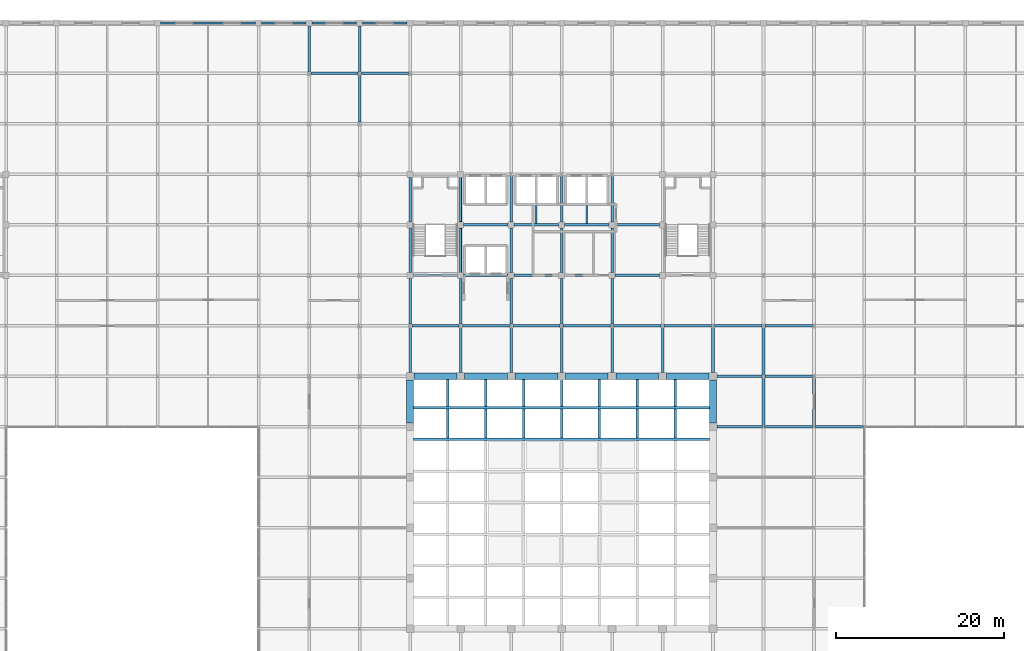
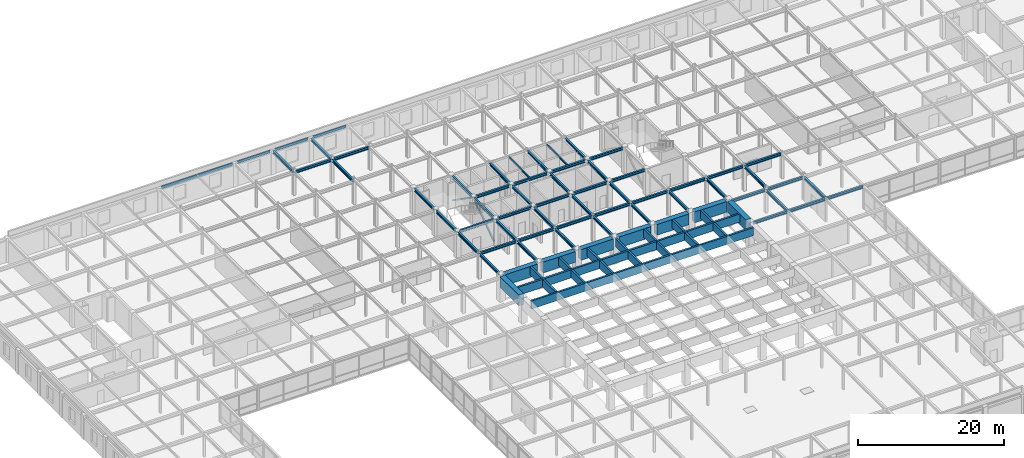
# One storey, part 78 of 111: 82 beams, 2 members.
"""IFC4 building model written with IfcOpenShell, lengths in metres."""

from ifc_helpers import new_model, si_unit, direction, frame, origin, origin_2d, place, context, subcontext, project, spatial, rectangle, hollow_rectangle, i_section, extrude, material, material_profile, profile_set, type_object, element, save


model = new_model("IFC4")

# Units and contexts
model_context = context("Model", 3, precision=1e-05, world=origin(), true_north=direction((0.0, 1.0)))
body_context = subcontext(model_context, "Body", "Model", "MODEL_VIEW")
ifc_project = project(units=[si_unit("LENGTHUNIT", "METRE"), si_unit("AREAUNIT", "SQUARE_METRE"), si_unit("VOLUMEUNIT", "CUBIC_METRE"), si_unit("PLANEANGLEUNIT", "RADIAN"), si_unit("MASSUNIT", "GRAM", prefix="KILO")], contexts=[model_context])

# Site, building, storey
site_placement = place(None, origin())
site = spatial("IfcSite", under=ifc_project, at=site_placement, CompositionType="ELEMENT")
building_placement = place(site_placement, origin())
building = spatial("IfcBuilding", under=site, at=building_placement, Name="Zlatovratsky Civic Hall", CompositionType="ELEMENT")
storey_placement = place(building_placement, frame((0.0, 0.0, 16.5)))
storey = spatial("IfcBuildingStorey", under=building, at=storey_placement, Name="L04", CompositionType="ELEMENT", Elevation=16.5)

# Beams
ifc_material_1 = material(Name="Concrete C35/45 (B40)", Category="concrete")
ifc_material_profile_1 = material_profile(ifc_material_1, rectangle(XDim=0.300048828125, YDim=1.35009765625, at=origin_2d()), Name="RC 300x1350")
ifc_profile_set_1 = profile_set([ifc_material_profile_1], Name="Concrete C35/45 (B40)")
beam_type_1 = type_object("IfcBeamType", Name="Beam_ChamberCofferRib_RC300x1350", PredefinedType="BEAM", material=ifc_profile_set_1)
for number, where, z_axis, x_axis, name in (
    (1, (66.39990234375, 64.5, 3.625), (1.0, 0.0, 0.0), (0.0, 1.0, 0.0), "BM-5336"),
    (2, (66.39990234375, 68.25, 3.625), (1.0, 0.0, 0.0), (0.0, 1.0, 0.0), "BM-5337"),
):
    element("IfcBeam", number, at=place(storey_placement, frame(where, z_axis=z_axis, x_axis=x_axis)), inside=storey, type_object=beam_type_1, Name=name, PredefinedType="BEAM", context=body_context, shape_type="SweptSolid", body=[
        extrude(rectangle(XDim=0.300048828125, YDim=1.35009765625, at=origin_2d()), origin(), (0.0, 0.0, 1.0), 35.2001953125),
    ])
beam_1_placement = place(storey_placement, frame((70.5, 64.64990234375, 3.625), z_axis=(0.0, 1.0, 0.0), x_axis=(-1.0, 0.0, 0.0)))
element("IfcBeam", 3, at=beam_1_placement, inside=storey, type_object=beam_type_1, Name="BM-5344", PredefinedType="BEAM", context=body_context, shape_type="SweptSolid", body=[
    extrude(rectangle(XDim=0.300048828125, YDim=1.35009765625, at=origin_2d()), origin(), (0.0, 0.0, 1.0), 3.4501953125),
])
beam_2_placement = place(storey_placement, frame((70.5, 68.39990234375, 3.625), z_axis=(0.0, 1.0, 0.0), x_axis=(-1.0, 0.0, 0.0)))
element("IfcBeam", 4, at=beam_2_placement, inside=storey, type_object=beam_type_1, Name="BM-5345", PredefinedType="BEAM", context=body_context, shape_type="SweptSolid", body=[
    extrude(rectangle(XDim=0.300048828125, YDim=1.35009765625, at=origin_2d()), origin(), (0.0, 0.0, 1.0), 3.2001953125),
])
beam_3_placement = place(storey_placement, frame((75.0, 64.64990234375, 3.625), z_axis=(0.0, 1.0, 0.0), x_axis=(-1.0, 0.0, 0.0)))
element("IfcBeam", 5, at=beam_3_placement, inside=storey, type_object=beam_type_1, Name="BM-5352", PredefinedType="BEAM", context=body_context, shape_type="SweptSolid", body=[
    extrude(rectangle(XDim=0.300048828125, YDim=1.35009765625, at=origin_2d()), origin(), (0.0, 0.0, 1.0), 3.4501953125),
])
beam_4_placement = place(storey_placement, frame((75.0, 68.39990234375, 3.625), z_axis=(0.0, 1.0, 0.0), x_axis=(-1.0, 0.0, 0.0)))
element("IfcBeam", 6, at=beam_4_placement, inside=storey, type_object=beam_type_1, Name="BM-5353", PredefinedType="BEAM", context=body_context, shape_type="SweptSolid", body=[
    extrude(rectangle(XDim=0.300048828125, YDim=1.35009765625, at=origin_2d()), origin(), (0.0, 0.0, 1.0), 3.2001953125),
])
beam_5_placement = place(storey_placement, frame((79.5, 64.64990234375, 3.625), z_axis=(0.0, 1.0, 0.0), x_axis=(-1.0, 0.0, 0.0)))
element("IfcBeam", 7, at=beam_5_placement, inside=storey, type_object=beam_type_1, Name="BM-5360", PredefinedType="BEAM", context=body_context, shape_type="SweptSolid", body=[
    extrude(rectangle(XDim=0.300048828125, YDim=1.35009765625, at=origin_2d()), origin(), (0.0, 0.0, 1.0), 3.4501953125),
])
beam_6_placement = place(storey_placement, frame((79.5, 68.39990234375, 3.625), z_axis=(0.0, 1.0, 0.0), x_axis=(-1.0, 0.0, 0.0)))
element("IfcBeam", 8, at=beam_6_placement, inside=storey, type_object=beam_type_1, Name="BM-5361", PredefinedType="BEAM", context=body_context, shape_type="SweptSolid", body=[
    extrude(rectangle(XDim=0.300048828125, YDim=1.35009765625, at=origin_2d()), origin(), (0.0, 0.0, 1.0), 3.2001953125),
])
beam_7_placement = place(storey_placement, frame((84.0, 64.64990234375, 3.625), z_axis=(0.0, 1.0, 0.0), x_axis=(-1.0, 0.0, 0.0)))
element("IfcBeam", 9, at=beam_7_placement, inside=storey, type_object=beam_type_1, Name="BM-5368", PredefinedType="BEAM", context=body_context, shape_type="SweptSolid", body=[
    extrude(rectangle(XDim=0.300048828125, YDim=1.35009765625, at=origin_2d()), origin(), (0.0, 0.0, 1.0), 3.4501953125),
])
beam_8_placement = place(storey_placement, frame((84.0, 68.39990234375, 3.625), z_axis=(0.0, 1.0, 0.0), x_axis=(-1.0, 0.0, 0.0)))
element("IfcBeam", 10, at=beam_8_placement, inside=storey, type_object=beam_type_1, Name="BM-5369", PredefinedType="BEAM", context=body_context, shape_type="SweptSolid", body=[
    extrude(rectangle(XDim=0.300048828125, YDim=1.35009765625, at=origin_2d()), origin(), (0.0, 0.0, 1.0), 3.2001953125),
])
beam_9_placement = place(storey_placement, frame((88.5, 64.64990234375, 3.625), z_axis=(0.0, 1.0, 0.0), x_axis=(-1.0, 0.0, 0.0)))
element("IfcBeam", 11, at=beam_9_placement, inside=storey, type_object=beam_type_1, Name="BM-5376", PredefinedType="BEAM", context=body_context, shape_type="SweptSolid", body=[
    extrude(rectangle(XDim=0.300048828125, YDim=1.35009765625, at=origin_2d()), origin(), (0.0, 0.0, 1.0), 3.4501953125),
])
beam_10_placement = place(storey_placement, frame((88.5, 68.39990234375, 3.625), z_axis=(0.0, 1.0, 0.0), x_axis=(-1.0, 0.0, 0.0)))
element("IfcBeam", 12, at=beam_10_placement, inside=storey, type_object=beam_type_1, Name="BM-5377", PredefinedType="BEAM", context=body_context, shape_type="SweptSolid", body=[
    extrude(rectangle(XDim=0.300048828125, YDim=1.35009765625, at=origin_2d()), origin(), (0.0, 0.0, 1.0), 3.2001953125),
])
beam_11_placement = place(storey_placement, frame((93.0, 64.64990234375, 3.625), z_axis=(0.0, 1.0, 0.0), x_axis=(-1.0, 0.0, 0.0)))
element("IfcBeam", 13, at=beam_11_placement, inside=storey, type_object=beam_type_1, Name="BM-5384", PredefinedType="BEAM", context=body_context, shape_type="SweptSolid", body=[
    extrude(rectangle(XDim=0.300048828125, YDim=1.35009765625, at=origin_2d()), origin(), (0.0, 0.0, 1.0), 3.4501953125),
])
beam_12_placement = place(storey_placement, frame((93.0, 68.39990234375, 3.625), z_axis=(0.0, 1.0, 0.0), x_axis=(-1.0, 0.0, 0.0)))
element("IfcBeam", 14, at=beam_12_placement, inside=storey, type_object=beam_type_1, Name="BM-5385", PredefinedType="BEAM", context=body_context, shape_type="SweptSolid", body=[
    extrude(rectangle(XDim=0.300048828125, YDim=1.35009765625, at=origin_2d()), origin(), (0.0, 0.0, 1.0), 3.2001953125),
])
beam_13_placement = place(storey_placement, frame((97.5, 64.64990234375, 3.625), z_axis=(0.0, 1.0, 0.0), x_axis=(-1.0, 0.0, 0.0)))
element("IfcBeam", 15, at=beam_13_placement, inside=storey, type_object=beam_type_1, Name="BM-5392", PredefinedType="BEAM", context=body_context, shape_type="SweptSolid", body=[
    extrude(rectangle(XDim=0.300048828125, YDim=1.35009765625, at=origin_2d()), origin(), (0.0, 0.0, 1.0), 3.4501953125),
])
beam_14_placement = place(storey_placement, frame((97.5, 68.39990234375, 3.625), z_axis=(0.0, 1.0, 0.0), x_axis=(-1.0, 0.0, 0.0)))
element("IfcBeam", 16, at=beam_14_placement, inside=storey, type_object=beam_type_1, Name="BM-5393", PredefinedType="BEAM", context=body_context, shape_type="SweptSolid", body=[
    extrude(rectangle(XDim=0.300048828125, YDim=1.35009765625, at=origin_2d()), origin(), (0.0, 0.0, 1.0), 3.2001953125),
])
ifc_material_profile_2 = material_profile(ifc_material_1, rectangle(XDim=0.800048828125, YDim=1.800048828125, at=origin_2d()), Name="RC 800x1800")
ifc_profile_set_2 = profile_set([ifc_material_profile_2], Name="Concrete C35/45 (B40)")
beam_type_2 = type_object("IfcBeamType", Name="Beam_ChamberRing_RC800x1800", PredefinedType="BEAM", material=ifc_profile_set_2)
for number, where, z_axis, x_axis, name in (
    (17, (66.449951171875, 72.0, 3.39990234375), (1.0, 0.0, 0.0), (0.0, 1.0, 0.0), "BM-5315"),
    (18, (72.449951171875, 72.0, 3.39990234375), (1.0, 0.0, 0.0), (0.0, 1.0, 0.0), "BM-5316"),
    (19, (78.449951171875, 72.0, 3.39990234375), (1.0, 0.0, 0.0), (0.0, 1.0, 0.0), "BM-5317"),
    (20, (84.449951171875, 72.0, 3.39990234375), (1.0, 0.0, 0.0), (0.0, 1.0, 0.0), "BM-5318"),
    (21, (90.449951171875, 72.0, 3.39990234375), (1.0, 0.0, 0.0), (0.0, 1.0, 0.0), "BM-5319"),
    (22, (96.449951171875, 72.0, 3.39990234375), (1.0, 0.0, 0.0), (0.0, 1.0, 0.0), "BM-5320"),
    (23, (66.0, 66.449951171875, 3.39990234375), (0.0, 1.0, 0.0), (-1.0, 0.0, 0.0), "BM-5325"),
    (24, (102.0, 66.449951171875, 3.39990234375), (0.0, 1.0, 0.0), (-1.0, 0.0, 0.0), "BM-5330"),
):
    element("IfcBeam", number, at=place(storey_placement, frame(where, z_axis=z_axis, x_axis=x_axis)), inside=storey, type_object=beam_type_2, Name=name, PredefinedType="BEAM", context=body_context, shape_type="SweptSolid", body=[
        extrude(rectangle(XDim=0.800048828125, YDim=1.800048828125, at=origin_2d()), origin(), (0.0, 0.0, 1.0), 5.10009765625),
    ])
ifc_material_2 = material(Name="Steel S355", Category="steel")
ifc_material_profile_3 = material_profile(ifc_material_2, i_section(OverallWidth=0.198974609375, OverallDepth=0.491943359375, WebThickness=0.0087890625, FlangeThickness=0.011962890625, FilletRadius=0.01611328125, at=origin_2d()), Name="50B1")
ifc_profile_set_3 = profile_set([ifc_material_profile_3], Name="Steel S355")
beam_type_3 = type_object("IfcBeamType", Name="Beam_Spandrel_50B1", PredefinedType="SPANDREL", material=ifc_profile_set_3)
for number, where, z_axis, x_axis, name in (
    (25, (48.35009765625, 114.0, 3.75390625), (1.0, 0.0, 0.0), (0.0, 1.0, 0.0), "BM-3495"),
    (26, (54.35009765625, 114.0, 3.75390625), (1.0, 0.0, 0.0), (0.0, 1.0, 0.0), "BM-3496"),
    (27, (60.35009765625, 114.0, 3.75390625), (1.0, 0.0, 0.0), (0.0, 1.0, 0.0), "BM-3497"),
):
    element("IfcBeam", number, at=place(storey_placement, frame(where, z_axis=z_axis, x_axis=x_axis)), inside=storey, type_object=beam_type_3, Name=name, PredefinedType="SPANDREL", context=body_context, shape_type="SweptSolid", body=[
        extrude(i_section(OverallWidth=0.198974609375, OverallDepth=0.491943359375, WebThickness=0.0087890625, FlangeThickness=0.011962890625, FilletRadius=0.01611328125, at=origin_2d()), origin(), (0.0, 0.0, 1.0), 5.2998046875),
    ])
ifc_material_profile_4 = material_profile(ifc_material_2, i_section(OverallWidth=0.219970703125, OverallDepth=0.54296875, WebThickness=0.009521484375, FlangeThickness=0.013427734375, FilletRadius=0.01806640625, at=origin_2d()), Name="55B1")
ifc_profile_set_4 = profile_set([ifc_material_profile_4], Name="Steel S355")
beam_type_4 = type_object("IfcBeamType", Name="Beam_Spandrel_55B1", PredefinedType="SPANDREL", material=ifc_profile_set_4)
beam_15_placement = place(storey_placement, frame((36.35009765625, 114.0, 3.728515625), z_axis=(1.0, 0.0, 0.0), x_axis=(0.0, 1.0, 0.0)))
element("IfcBeam", 28, at=beam_15_placement, inside=storey, type_object=beam_type_4, Name="BM-3494", PredefinedType="SPANDREL", context=body_context, shape_type="SweptSolid", body=[
    extrude(i_section(OverallWidth=0.219970703125, OverallDepth=0.54296875, WebThickness=0.009521484375, FlangeThickness=0.013427734375, FilletRadius=0.01806640625, at=origin_2d()), origin(), (0.0, 0.0, 1.0), 11.2998046875),
])
ifc_material_profile_5 = material_profile(ifc_material_2, i_section(OverallWidth=0.300048828125, OverallDepth=0.43994140625, WebThickness=0.010986328125, FlangeThickness=0.01806640625, FilletRadius=0.02197265625, at=origin_2d()), Name="45Sh1")
ifc_profile_set_5 = profile_set([ifc_material_profile_5], Name="Steel S355")
beam_type_5 = type_object("IfcBeamType", Name="Beam_TowerLow_45Sh1", PredefinedType="BEAM", material=ifc_profile_set_5)
beam_16_placement = place(storey_placement, frame((102.449951171875, 66.0, 3.780029296875), z_axis=(1.0, 0.0, 0.0), x_axis=(0.0, 1.0, 0.0)))
element("IfcBeam", 29, at=beam_16_placement, inside=storey, type_object=beam_type_5, Name="BM-3338", PredefinedType="BEAM", context=body_context, shape_type="SweptSolid", body=[
    extrude(i_section(OverallWidth=0.300048828125, OverallDepth=0.43994140625, WebThickness=0.010986328125, FlangeThickness=0.01806640625, FilletRadius=0.02197265625, at=origin_2d()), origin(), (0.0, 0.0, 1.0), 5.425048828125),
])
for number, where, z_axis, x_axis, name in (
    (30, (108.125, 66.0, 3.780029296875), (1.0, 0.0, 0.0), (0.0, 1.0, 0.0), "BM-3339"),
    (31, (114.125, 66.0, 3.780029296875), (1.0, 0.0, 0.0), (0.0, 1.0, 0.0), "BM-3340"),
):
    element("IfcBeam", number, at=place(storey_placement, frame(where, z_axis=z_axis, x_axis=x_axis)), inside=storey, type_object=beam_type_5, Name=name, PredefinedType="BEAM", context=body_context, shape_type="SweptSolid", body=[
        extrude(i_section(OverallWidth=0.300048828125, OverallDepth=0.43994140625, WebThickness=0.010986328125, FlangeThickness=0.01806640625, FilletRadius=0.02197265625, at=origin_2d()), origin(), (0.0, 0.0, 1.0), 5.75),
    ])
beam_17_placement = place(storey_placement, frame((102.449951171875, 72.0, 3.780029296875), z_axis=(1.0, 0.0, 0.0), x_axis=(0.0, 1.0, 0.0)))
element("IfcBeam", 32, at=beam_17_placement, inside=storey, type_object=beam_type_5, Name="BM-3354", PredefinedType="BEAM", context=body_context, shape_type="SweptSolid", body=[
    extrude(i_section(OverallWidth=0.300048828125, OverallDepth=0.43994140625, WebThickness=0.010986328125, FlangeThickness=0.01806640625, FilletRadius=0.02197265625, at=origin_2d()), origin(), (0.0, 0.0, 1.0), 5.34765625),
])
for number, where, z_axis, x_axis, name in (
    (33, (108.202392578125, 72.0, 3.780029296875), (1.0, 0.0, 0.0), (0.0, 1.0, 0.0), "BM-3355"),
    (34, (66.202392578125, 78.0, 4.1201171875), (1.0, 0.0, 0.0), (0.0, 1.0, 0.0), "BM-3370"),
    (35, (72.202392578125, 78.0, 4.1201171875), (1.0, 0.0, 0.0), (0.0, 1.0, 0.0), "BM-3371"),
    (36, (78.202392578125, 78.0, 4.1201171875), (1.0, 0.0, 0.0), (0.0, 1.0, 0.0), "BM-3372"),
    (37, (84.202392578125, 78.0, 4.1201171875), (1.0, 0.0, 0.0), (0.0, 1.0, 0.0), "BM-3373"),
    (38, (90.202392578125, 78.0, 4.1201171875), (1.0, 0.0, 0.0), (0.0, 1.0, 0.0), "BM-3374"),
    (39, (96.202392578125, 78.0, 4.1201171875), (1.0, 0.0, 0.0), (0.0, 1.0, 0.0), "BM-3375"),
    (40, (102.202392578125, 78.0, 4.1201171875), (1.0, 0.0, 0.0), (0.0, 1.0, 0.0), "BM-3376"),
    (41, (108.202392578125, 78.0, 4.1201171875), (1.0, 0.0, 0.0), (0.0, 1.0, 0.0), "BM-3377"),
):
    element("IfcBeam", number, at=place(storey_placement, frame(where, z_axis=z_axis, x_axis=x_axis)), inside=storey, type_object=beam_type_5, Name=name, PredefinedType="BEAM", context=body_context, shape_type="SweptSolid", body=[
        extrude(i_section(OverallWidth=0.300048828125, OverallDepth=0.43994140625, WebThickness=0.010986328125, FlangeThickness=0.01806640625, FilletRadius=0.02197265625, at=origin_2d()), origin(), (0.0, 0.0, 1.0), 5.59521484375),
    ])
for number, where, z_axis, x_axis, name in (
    (42, (66.35009765625, 84.0, 4.1201171875), (1.0, 0.0, 0.0), (0.0, 1.0, 0.0), "BM-3392"),
    (43, (72.35009765625, 84.0, 4.1201171875), (1.0, 0.0, 0.0), (0.0, 1.0, 0.0), "BM-3393"),
    (44, (78.35009765625, 84.0, 4.1201171875), (1.0, 0.0, 0.0), (0.0, 1.0, 0.0), "BM-3394"),
    (45, (84.35009765625, 84.0, 4.1201171875), (1.0, 0.0, 0.0), (0.0, 1.0, 0.0), "BM-3395"),
    (46, (90.35009765625, 84.0, 4.1201171875), (1.0, 0.0, 0.0), (0.0, 1.0, 0.0), "BM-3396"),
    (47, (72.35009765625, 90.0, 4.1201171875), (1.0, 0.0, 0.0), (0.0, 1.0, 0.0), "BM-3413"),
    (48, (78.35009765625, 90.0, 4.1201171875), (1.0, 0.0, 0.0), (0.0, 1.0, 0.0), "BM-3414"),
    (49, (84.35009765625, 90.0, 4.1201171875), (1.0, 0.0, 0.0), (0.0, 1.0, 0.0), "BM-3415"),
    (50, (90.35009765625, 90.0, 4.1201171875), (1.0, 0.0, 0.0), (0.0, 1.0, 0.0), "BM-3416"),
):
    element("IfcBeam", number, at=place(storey_placement, frame(where, z_axis=z_axis, x_axis=x_axis)), inside=storey, type_object=beam_type_5, Name=name, PredefinedType="BEAM", context=body_context, shape_type="SweptSolid", body=[
        extrude(i_section(OverallWidth=0.300048828125, OverallDepth=0.43994140625, WebThickness=0.010986328125, FlangeThickness=0.01806640625, FilletRadius=0.02197265625, at=origin_2d()), origin(), (0.0, 0.0, 1.0), 5.2998046875),
    ])
for number, where, z_axis, x_axis, name in (
    (51, (54.202392578125, 108.0, 3.780029296875), (1.0, 0.0, 0.0), (0.0, 1.0, 0.0), "BM-3474"),
    (52, (60.202392578125, 108.0, 3.780029296875), (1.0, 0.0, 0.0), (0.0, 1.0, 0.0), "BM-3475"),
):
    element("IfcBeam", number, at=place(storey_placement, frame(where, z_axis=z_axis, x_axis=x_axis)), inside=storey, type_object=beam_type_5, Name=name, PredefinedType="BEAM", context=body_context, shape_type="SweptSolid", body=[
        extrude(i_section(OverallWidth=0.300048828125, OverallDepth=0.43994140625, WebThickness=0.010986328125, FlangeThickness=0.01806640625, FilletRadius=0.02197265625, at=origin_2d()), origin(), (0.0, 0.0, 1.0), 5.59521484375),
    ])
beam_18_placement = place(storey_placement, frame((54.0, 108.208984375, 3.780029296875), z_axis=(0.0, 1.0, 0.0), x_axis=(-1.0, 0.0, 0.0)))
element("IfcBeam", 53, at=beam_18_placement, inside=storey, type_object=beam_type_5, Name="BM-3618", PredefinedType="BEAM", context=body_context, shape_type="SweptSolid", body=[
    extrude(i_section(OverallWidth=0.300048828125, OverallDepth=0.43994140625, WebThickness=0.010986328125, FlangeThickness=0.01806640625, FilletRadius=0.02197265625, at=origin_2d()), origin(), (0.0, 0.0, 1.0), 5.44091796875),
])
beam_19_placement = place(storey_placement, frame((60.0, 102.208984375, 3.780029296875), z_axis=(0.0, 1.0, 0.0), x_axis=(-1.0, 0.0, 0.0)))
element("IfcBeam", 54, at=beam_19_placement, inside=storey, type_object=beam_type_5, Name="BM-3633", PredefinedType="BEAM", context=body_context, shape_type="SweptSolid", body=[
    extrude(i_section(OverallWidth=0.300048828125, OverallDepth=0.43994140625, WebThickness=0.010986328125, FlangeThickness=0.01806640625, FilletRadius=0.02197265625, at=origin_2d()), origin(), (0.0, 0.0, 1.0), 5.58203125),
])
beam_20_placement = place(storey_placement, frame((60.0, 108.208984375, 3.780029296875), z_axis=(0.0, 1.0, 0.0), x_axis=(-1.0, 0.0, 0.0)))
element("IfcBeam", 55, at=beam_20_placement, inside=storey, type_object=beam_type_5, Name="BM-3634", PredefinedType="BEAM", context=body_context, shape_type="SweptSolid", body=[
    extrude(i_section(OverallWidth=0.300048828125, OverallDepth=0.43994140625, WebThickness=0.010986328125, FlangeThickness=0.01806640625, FilletRadius=0.02197265625, at=origin_2d()), origin(), (0.0, 0.0, 1.0), 5.44091796875),
])
beam_21_placement = place(storey_placement, frame((66.0, 72.449951171875, 4.1201171875), z_axis=(0.0, 1.0, 0.0), x_axis=(-1.0, 0.0, 0.0)))
element("IfcBeam", 56, at=beam_21_placement, inside=storey, type_object=beam_type_5, Name="BM-3639", PredefinedType="BEAM", context=body_context, shape_type="SweptSolid", body=[
    extrude(i_section(OverallWidth=0.300048828125, OverallDepth=0.43994140625, WebThickness=0.010986328125, FlangeThickness=0.01806640625, FilletRadius=0.02197265625, at=origin_2d()), origin(), (0.0, 0.0, 1.0), 5.341064453125),
])
beam_22_placement = place(storey_placement, frame((66.0, 78.208984375, 4.1201171875), z_axis=(0.0, 1.0, 0.0), x_axis=(-1.0, 0.0, 0.0)))
element("IfcBeam", 57, at=beam_22_placement, inside=storey, type_object=beam_type_5, Name="BM-3640", PredefinedType="BEAM", context=body_context, shape_type="SweptSolid", body=[
    extrude(i_section(OverallWidth=0.300048828125, OverallDepth=0.43994140625, WebThickness=0.010986328125, FlangeThickness=0.01806640625, FilletRadius=0.02197265625, at=origin_2d()), origin(), (0.0, 0.0, 1.0), 5.44091796875),
])
for number, where, z_axis, x_axis, name in (
    (58, (66.0, 84.35009765625, 4.1201171875), (0.0, 1.0, 0.0), (-1.0, 0.0, 0.0), "BM-3641"),
    (59, (66.0, 90.35009765625, 4.1201171875), (0.0, 1.0, 0.0), (-1.0, 0.0, 0.0), "BM-3642"),
):
    element("IfcBeam", number, at=place(storey_placement, frame(where, z_axis=z_axis, x_axis=x_axis)), inside=storey, type_object=beam_type_5, Name=name, PredefinedType="BEAM", context=body_context, shape_type="SweptSolid", body=[
        extrude(i_section(OverallWidth=0.300048828125, OverallDepth=0.43994140625, WebThickness=0.010986328125, FlangeThickness=0.01806640625, FilletRadius=0.02197265625, at=origin_2d()), origin(), (0.0, 0.0, 1.0), 5.2998046875),
    ])
beam_23_placement = place(storey_placement, frame((72.0, 72.449951171875, 4.1201171875), z_axis=(0.0, 1.0, 0.0), x_axis=(-1.0, 0.0, 0.0)))
element("IfcBeam", 60, at=beam_23_placement, inside=storey, type_object=beam_type_5, Name="BM-3650", PredefinedType="BEAM", context=body_context, shape_type="SweptSolid", body=[
    extrude(i_section(OverallWidth=0.300048828125, OverallDepth=0.43994140625, WebThickness=0.010986328125, FlangeThickness=0.01806640625, FilletRadius=0.02197265625, at=origin_2d()), origin(), (0.0, 0.0, 1.0), 5.341064453125),
])
beam_24_placement = place(storey_placement, frame((72.0, 78.208984375, 4.1201171875), z_axis=(0.0, 1.0, 0.0), x_axis=(-1.0, 0.0, 0.0)))
element("IfcBeam", 61, at=beam_24_placement, inside=storey, type_object=beam_type_5, Name="BM-3651", PredefinedType="BEAM", context=body_context, shape_type="SweptSolid", body=[
    extrude(i_section(OverallWidth=0.300048828125, OverallDepth=0.43994140625, WebThickness=0.010986328125, FlangeThickness=0.01806640625, FilletRadius=0.02197265625, at=origin_2d()), origin(), (0.0, 0.0, 1.0), 5.44091796875),
])
for number, where, z_axis, x_axis, name in (
    (62, (72.0, 84.35009765625, 4.1201171875), (0.0, 1.0, 0.0), (-1.0, 0.0, 0.0), "BM-3652"),
    (63, (72.0, 90.35009765625, 4.1201171875), (0.0, 1.0, 0.0), (-1.0, 0.0, 0.0), "BM-3653"),
):
    element("IfcBeam", number, at=place(storey_placement, frame(where, z_axis=z_axis, x_axis=x_axis)), inside=storey, type_object=beam_type_5, Name=name, PredefinedType="BEAM", context=body_context, shape_type="SweptSolid", body=[
        extrude(i_section(OverallWidth=0.300048828125, OverallDepth=0.43994140625, WebThickness=0.010986328125, FlangeThickness=0.01806640625, FilletRadius=0.02197265625, at=origin_2d()), origin(), (0.0, 0.0, 1.0), 5.2998046875),
    ])
beam_25_placement = place(storey_placement, frame((78.0, 72.449951171875, 4.1201171875), z_axis=(0.0, 1.0, 0.0), x_axis=(-1.0, 0.0, 0.0)))
element("IfcBeam", 64, at=beam_25_placement, inside=storey, type_object=beam_type_5, Name="BM-3659", PredefinedType="BEAM", context=body_context, shape_type="SweptSolid", body=[
    extrude(i_section(OverallWidth=0.300048828125, OverallDepth=0.43994140625, WebThickness=0.010986328125, FlangeThickness=0.01806640625, FilletRadius=0.02197265625, at=origin_2d()), origin(), (0.0, 0.0, 1.0), 5.341064453125),
])
beam_26_placement = place(storey_placement, frame((78.0, 78.208984375, 4.1201171875), z_axis=(0.0, 1.0, 0.0), x_axis=(-1.0, 0.0, 0.0)))
element("IfcBeam", 65, at=beam_26_placement, inside=storey, type_object=beam_type_5, Name="BM-3660", PredefinedType="BEAM", context=body_context, shape_type="SweptSolid", body=[
    extrude(i_section(OverallWidth=0.300048828125, OverallDepth=0.43994140625, WebThickness=0.010986328125, FlangeThickness=0.01806640625, FilletRadius=0.02197265625, at=origin_2d()), origin(), (0.0, 0.0, 1.0), 5.44091796875),
])
beam_27_placement = place(storey_placement, frame((78.0, 84.35009765625, 4.1201171875), z_axis=(0.0, 1.0, 0.0), x_axis=(-1.0, 0.0, 0.0)))
element("IfcBeam", 66, at=beam_27_placement, inside=storey, type_object=beam_type_5, Name="BM-3661", PredefinedType="BEAM", context=body_context, shape_type="SweptSolid", body=[
    extrude(i_section(OverallWidth=0.300048828125, OverallDepth=0.43994140625, WebThickness=0.010986328125, FlangeThickness=0.01806640625, FilletRadius=0.02197265625, at=origin_2d()), origin(), (0.0, 0.0, 1.0), 5.2998046875),
])
beam_28_placement = place(storey_placement, frame((78.0, 90.35009765625, 4.1201171875), z_axis=(0.0, 1.0, 0.0), x_axis=(-1.0, 0.0, 0.0)))
element("IfcBeam", 67, at=beam_28_placement, inside=storey, type_object=beam_type_5, Name="BM-3662", PredefinedType="BEAM", context=body_context, shape_type="SweptSolid", body=[
    extrude(i_section(OverallWidth=0.300048828125, OverallDepth=0.43994140625, WebThickness=0.010986328125, FlangeThickness=0.01806640625, FilletRadius=0.02197265625, at=origin_2d()), origin(), (0.0, 0.0, 1.0), 5.44091796875),
])
beam_29_placement = place(storey_placement, frame((84.0, 72.449951171875, 4.1201171875), z_axis=(0.0, 1.0, 0.0), x_axis=(-1.0, 0.0, 0.0)))
element("IfcBeam", 68, at=beam_29_placement, inside=storey, type_object=beam_type_5, Name="BM-3668", PredefinedType="BEAM", context=body_context, shape_type="SweptSolid", body=[
    extrude(i_section(OverallWidth=0.300048828125, OverallDepth=0.43994140625, WebThickness=0.010986328125, FlangeThickness=0.01806640625, FilletRadius=0.02197265625, at=origin_2d()), origin(), (0.0, 0.0, 1.0), 5.341064453125),
])
beam_30_placement = place(storey_placement, frame((84.0, 78.208984375, 4.1201171875), z_axis=(0.0, 1.0, 0.0), x_axis=(-1.0, 0.0, 0.0)))
element("IfcBeam", 69, at=beam_30_placement, inside=storey, type_object=beam_type_5, Name="BM-3669", PredefinedType="BEAM", context=body_context, shape_type="SweptSolid", body=[
    extrude(i_section(OverallWidth=0.300048828125, OverallDepth=0.43994140625, WebThickness=0.010986328125, FlangeThickness=0.01806640625, FilletRadius=0.02197265625, at=origin_2d()), origin(), (0.0, 0.0, 1.0), 5.44091796875),
])
beam_31_placement = place(storey_placement, frame((84.0, 84.35009765625, 4.1201171875), z_axis=(0.0, 1.0, 0.0), x_axis=(-1.0, 0.0, 0.0)))
element("IfcBeam", 70, at=beam_31_placement, inside=storey, type_object=beam_type_5, Name="BM-3670", PredefinedType="BEAM", context=body_context, shape_type="SweptSolid", body=[
    extrude(i_section(OverallWidth=0.300048828125, OverallDepth=0.43994140625, WebThickness=0.010986328125, FlangeThickness=0.01806640625, FilletRadius=0.02197265625, at=origin_2d()), origin(), (0.0, 0.0, 1.0), 5.2998046875),
])
beam_32_placement = place(storey_placement, frame((84.0, 90.35009765625, 4.1201171875), z_axis=(0.0, 1.0, 0.0), x_axis=(-1.0, 0.0, 0.0)))
element("IfcBeam", 71, at=beam_32_placement, inside=storey, type_object=beam_type_5, Name="BM-3671", PredefinedType="BEAM", context=body_context, shape_type="SweptSolid", body=[
    extrude(i_section(OverallWidth=0.300048828125, OverallDepth=0.43994140625, WebThickness=0.010986328125, FlangeThickness=0.01806640625, FilletRadius=0.02197265625, at=origin_2d()), origin(), (0.0, 0.0, 1.0), 5.44091796875),
])
beam_33_placement = place(storey_placement, frame((90.0, 72.449951171875, 4.1201171875), z_axis=(0.0, 1.0, 0.0), x_axis=(-1.0, 0.0, 0.0)))
element("IfcBeam", 72, at=beam_33_placement, inside=storey, type_object=beam_type_5, Name="BM-3677", PredefinedType="BEAM", context=body_context, shape_type="SweptSolid", body=[
    extrude(i_section(OverallWidth=0.300048828125, OverallDepth=0.43994140625, WebThickness=0.010986328125, FlangeThickness=0.01806640625, FilletRadius=0.02197265625, at=origin_2d()), origin(), (0.0, 0.0, 1.0), 5.341064453125),
])
beam_34_placement = place(storey_placement, frame((90.0, 78.208984375, 4.1201171875), z_axis=(0.0, 1.0, 0.0), x_axis=(-1.0, 0.0, 0.0)))
element("IfcBeam", 73, at=beam_34_placement, inside=storey, type_object=beam_type_5, Name="BM-3678", PredefinedType="BEAM", context=body_context, shape_type="SweptSolid", body=[
    extrude(i_section(OverallWidth=0.300048828125, OverallDepth=0.43994140625, WebThickness=0.010986328125, FlangeThickness=0.01806640625, FilletRadius=0.02197265625, at=origin_2d()), origin(), (0.0, 0.0, 1.0), 5.44091796875),
])
beam_35_placement = place(storey_placement, frame((90.0, 84.35009765625, 4.1201171875), z_axis=(0.0, 1.0, 0.0), x_axis=(-1.0, 0.0, 0.0)))
element("IfcBeam", 74, at=beam_35_placement, inside=storey, type_object=beam_type_5, Name="BM-3679", PredefinedType="BEAM", context=body_context, shape_type="SweptSolid", body=[
    extrude(i_section(OverallWidth=0.300048828125, OverallDepth=0.43994140625, WebThickness=0.010986328125, FlangeThickness=0.01806640625, FilletRadius=0.02197265625, at=origin_2d()), origin(), (0.0, 0.0, 1.0), 5.2998046875),
])
beam_36_placement = place(storey_placement, frame((90.0, 90.35009765625, 4.1201171875), z_axis=(0.0, 1.0, 0.0), x_axis=(-1.0, 0.0, 0.0)))
element("IfcBeam", 75, at=beam_36_placement, inside=storey, type_object=beam_type_5, Name="BM-3680", PredefinedType="BEAM", context=body_context, shape_type="SweptSolid", body=[
    extrude(i_section(OverallWidth=0.300048828125, OverallDepth=0.43994140625, WebThickness=0.010986328125, FlangeThickness=0.01806640625, FilletRadius=0.02197265625, at=origin_2d()), origin(), (0.0, 0.0, 1.0), 5.44091796875),
])
for number, where, z_axis, x_axis, name in (
    (76, (96.0, 72.449951171875, 4.1201171875), (0.0, 1.0, 0.0), (-1.0, 0.0, 0.0), "BM-3688"),
    (77, (102.0, 72.449951171875, 4.1201171875), (0.0, 1.0, 0.0), (-1.0, 0.0, 0.0), "BM-3699"),
):
    element("IfcBeam", number, at=place(storey_placement, frame(where, z_axis=z_axis, x_axis=x_axis)), inside=storey, type_object=beam_type_5, Name=name, PredefinedType="BEAM", context=body_context, shape_type="SweptSolid", body=[
        extrude(i_section(OverallWidth=0.300048828125, OverallDepth=0.43994140625, WebThickness=0.010986328125, FlangeThickness=0.01806640625, FilletRadius=0.02197265625, at=origin_2d()), origin(), (0.0, 0.0, 1.0), 5.341064453125),
    ])
beam_37_placement = place(storey_placement, frame((108.0, 66.125, 3.780029296875), z_axis=(0.0, 1.0, 0.0), x_axis=(-1.0, 0.0, 0.0)))
element("IfcBeam", 78, at=beam_37_placement, inside=storey, type_object=beam_type_5, Name="BM-3714", PredefinedType="BEAM", context=body_context, shape_type="SweptSolid", body=[
    extrude(i_section(OverallWidth=0.300048828125, OverallDepth=0.43994140625, WebThickness=0.010986328125, FlangeThickness=0.01806640625, FilletRadius=0.02197265625, at=origin_2d()), origin(), (0.0, 0.0, 1.0), 5.666015625),
])
beam_38_placement = place(storey_placement, frame((108.0, 72.208984375, 4.1201171875), z_axis=(0.0, 1.0, 0.0), x_axis=(-1.0, 0.0, 0.0)))
element("IfcBeam", 79, at=beam_38_placement, inside=storey, type_object=beam_type_5, Name="BM-3715", PredefinedType="BEAM", context=body_context, shape_type="SweptSolid", body=[
    extrude(i_section(OverallWidth=0.300048828125, OverallDepth=0.43994140625, WebThickness=0.010986328125, FlangeThickness=0.01806640625, FilletRadius=0.02197265625, at=origin_2d()), origin(), (0.0, 0.0, 1.0), 5.58203125),
])
beam_39_placement = place(storey_placement, frame((114.0, 66.125, 3.780029296875), z_axis=(0.0, 1.0, 0.0), x_axis=(-1.0, 0.0, 0.0)))
element("IfcBeam", 80, at=beam_39_placement, inside=storey, type_object=beam_type_5, Name="BM-3731", PredefinedType="BEAM", context=body_context, shape_type="SweptSolid", body=[
    extrude(i_section(OverallWidth=0.300048828125, OverallDepth=0.43994140625, WebThickness=0.010986328125, FlangeThickness=0.01806640625, FilletRadius=0.02197265625, at=origin_2d()), origin(), (0.0, 0.0, 1.0), 5.666015625),
])

# Members
ifc_material_profile_6 = material_profile(ifc_material_2, hollow_rectangle(XDim=0.219970703125, YDim=0.219970703125, WallThickness=0.010009765625, at=origin_2d()), Name="SHS 220x220x10")
ifc_profile_set_6 = profile_set([ifc_material_profile_6], Name="Steel S355")
member_type = type_object("IfcMemberType", Name="Brace_Podium_SHS220", PredefinedType="BRACE", material=ifc_profile_set_6)
for number, where, z_axis, x_axis, name in (
    (81, (72.0, 84.35009765625, 0.25), (0.0, 0.819951728037, 0.572432671752), (-1.0, 0.0, 0.0), "MB-0116"),
    (82, (72.0, 90.35009765625, 3.949951171875), (0.0, 0.819951728037, -0.572432671752), (-1.0, 0.0, 0.0), "MB-0117"),
):
    element("IfcMember", number, at=place(storey_placement, frame(where, z_axis=z_axis, x_axis=x_axis)), inside=storey, type_object=member_type, Name=name, PredefinedType="BRACE", context=body_context, shape_type="SweptSolid", body=[
        extrude(hollow_rectangle(XDim=0.219970703125, YDim=0.219970703125, WallThickness=0.010009765625, at=origin_2d()), origin(), (0.0, 0.0, 1.0), 6.463623046875),
    ])

# Beams
ifc_material_profile_7 = material_profile(ifc_material_2, i_section(OverallWidth=0.14892578125, OverallDepth=0.2958984375, WebThickness=0.005615234375, FlangeThickness=0.008056640625, FilletRadius=0.012939453125, at=origin_2d()), Name="30B1")
ifc_profile_set_7 = profile_set([ifc_material_profile_7], Name="Steel S355")
beam_type_6 = type_object("IfcBeamType", Name="Joist_Tower_30B1", PredefinedType="JOIST", material=ifc_profile_set_7)
for number, where, z_axis, x_axis, name in (
    (83, (81.0, 90.14990234375, 4.19189453125), (0.0, 1.0, 0.0), (-1.0, 0.0, 0.0), "BM-3886"),
    (84, (87.0, 90.14990234375, 4.19189453125), (0.0, 1.0, 0.0), (-1.0, 0.0, 0.0), "BM-3887"),
):
    element("IfcBeam", number, at=place(storey_placement, frame(where, z_axis=z_axis, x_axis=x_axis)), inside=storey, type_object=beam_type_6, Name=name, PredefinedType="JOIST", context=body_context, shape_type="SweptSolid", body=[
        extrude(i_section(OverallWidth=0.14892578125, OverallDepth=0.2958984375, WebThickness=0.005615234375, FlangeThickness=0.008056640625, FilletRadius=0.012939453125, at=origin_2d()), origin(), (0.0, 0.0, 1.0), 5.7001953125),
    ])

save(model, "model.ifc")
